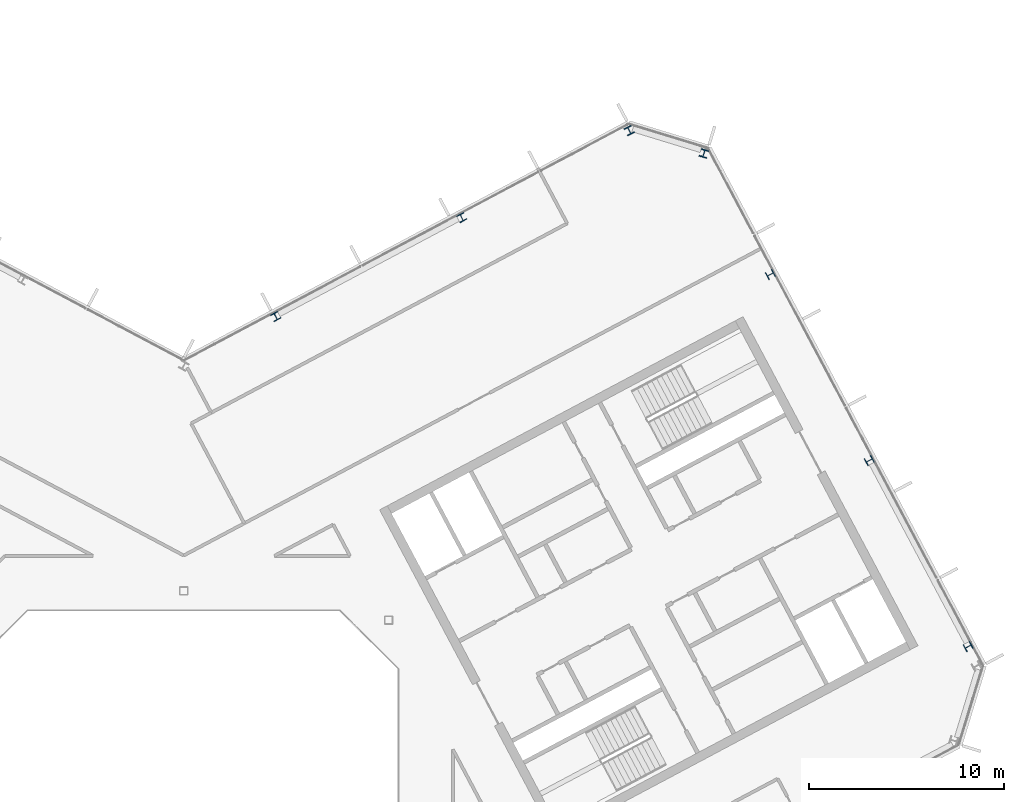
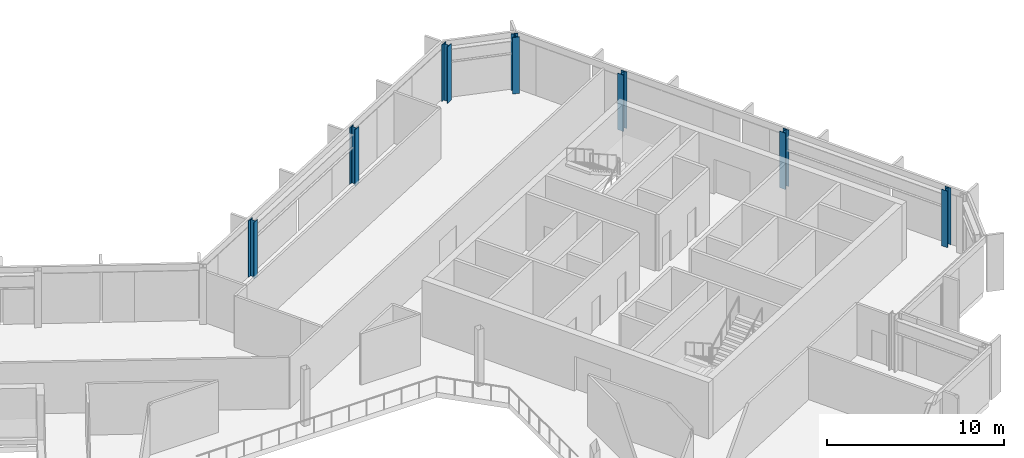
# One storey, part 7 of 25: 7 columns.
"""IFC4 building model written with IfcOpenShell, lengths in metres."""

from ifc_helpers import new_model, si_unit, direction, frame, origin, origin_2d, place, context, subcontext, project, spatial, i_section, extrude, material, material_profile, profile_set, type_object, element, save


model = new_model("IFC4")

# Units and contexts
model_context = context("Model", 3, precision=1e-05, world=origin(), true_north=direction((0.0, 1.0)))
body_context = subcontext(model_context, "Body", "Model", "MODEL_VIEW")
ifc_project = project(units=[si_unit("LENGTHUNIT", "METRE"), si_unit("AREAUNIT", "SQUARE_METRE"), si_unit("VOLUMEUNIT", "CUBIC_METRE"), si_unit("PLANEANGLEUNIT", "RADIAN"), si_unit("MASSUNIT", "GRAM", prefix="KILO")], contexts=[model_context])

# Site, building, storey
site_placement = place(None, origin())
site = spatial("IfcSite", under=ifc_project, at=site_placement, CompositionType="ELEMENT")
building_placement = place(site_placement, origin())
building = spatial("IfcBuilding", under=site, at=building_placement, Name="Cormorant Relay Tower", CompositionType="ELEMENT")
storey_placement = place(building_placement, frame((0.0, 0.0, 281.39990234375)))
storey = spatial("IfcBuildingStorey", under=building, at=storey_placement, Name="L63", CompositionType="ELEMENT", Elevation=281.39990234375)

# Columns
ifc_material_1 = material(Name="Steel ASTM A992 (Fy 345 MPa)", Category="steel")
ifc_material_profile_1 = material_profile(ifc_material_1, i_section(OverallWidth=0.398681640625, OverallDepth=0.385986328125, WebThickness=0.02099609375, FlangeThickness=0.033203125, FilletRadius=0.01513671875, at=origin_2d()), Name="W360x262")
ifc_profile_set_1 = profile_set([ifc_material_profile_1], Name="Steel ASTM A992 (Fy 345 MPa)")
column_type_1 = type_object("IfcColumnType", Name="Column W360x262", PredefinedType="COLUMN", material=ifc_profile_set_1)
for number, where, z_axis, x_axis, name in (
    (1, (40.2119140625, 9.14892578125, 0.0), (0.0, 0.0, 1.0), (-0.469471562786, 0.882947592859, 0.0), "Column L63-021"),
    (2, (35.14111328125, 18.68505859375, 0.0), (0.0, 0.0, 1.0), (-0.469471562786, 0.882947592859, 0.0), "Column L63-027"),
    (3, (4.715087890625, 26.06494140625, 0.0), (0.0, 0.0, 1.0), (-0.882947592859, -0.469471562786, 0.0), "Column L63-031"),
    (4, (30.071044921875, 28.220947265625, 0.0), (0.0, 0.0, 1.0), (-0.469471562786, 0.882947592859, 0.0), "Column L63-033"),
    (5, (14.2509765625, 31.135009765625, 0.0), (0.0, 0.0, 1.0), (-0.882947592859, -0.469471562786, 0.0), "Column L63-035"),
):
    element("IfcColumn", number, at=place(storey_placement, frame(where, z_axis=z_axis, x_axis=x_axis)), inside=storey, type_object=column_type_1, Name=name, PredefinedType="COLUMN", context=body_context, shape_type="SweptSolid", body=[
        extrude(i_section(OverallWidth=0.398681640625, OverallDepth=0.385986328125, WebThickness=0.02099609375, FlangeThickness=0.033203125, FilletRadius=0.01513671875, at=origin_2d()), origin(), (0.0, 0.0, 1.0), 3.900146484375),
    ])
ifc_material_2 = material(Name="Steel ASTM A992 (Fy 345 MPa)", Category="steel")
ifc_material_profile_2 = material_profile(ifc_material_2, i_section(OverallWidth=0.40380859375, OverallDepth=0.406494140625, WebThickness=0.027099609375, FlangeThickness=0.043701171875, FilletRadius=0.01513671875, at=origin_2d()), Name="W360x347")
ifc_profile_set_2 = profile_set([ifc_material_profile_2], Name="Steel ASTM A992 (Fy 345 MPa)")
column_type_2 = type_object("IfcColumnType", Name="Column W360x347", PredefinedType="COLUMN", material=ifc_profile_set_2)
for number, where, z_axis, x_axis, name in (
    (6, (26.6640625, 34.425048828125, 0.0), (0.0, 0.0, 1.0), (-0.956304755963, 0.292371704723, 0.0), "Column L63-038"),
    (7, (22.841064453125, 35.593994140625, 0.0), (0.0, 0.0, 1.0), (-0.882947592859, -0.469471562786, 0.0), "Column L63-039"),
):
    element("IfcColumn", number, at=place(storey_placement, frame(where, z_axis=z_axis, x_axis=x_axis)), inside=storey, type_object=column_type_2, Name=name, PredefinedType="COLUMN", context=body_context, shape_type="SweptSolid", body=[
        extrude(i_section(OverallWidth=0.40380859375, OverallDepth=0.406494140625, WebThickness=0.027099609375, FlangeThickness=0.043701171875, FilletRadius=0.01513671875, at=origin_2d()), origin(), (0.0, 0.0, 1.0), 3.900146484375),
    ])

save(model, "model.ifc")
